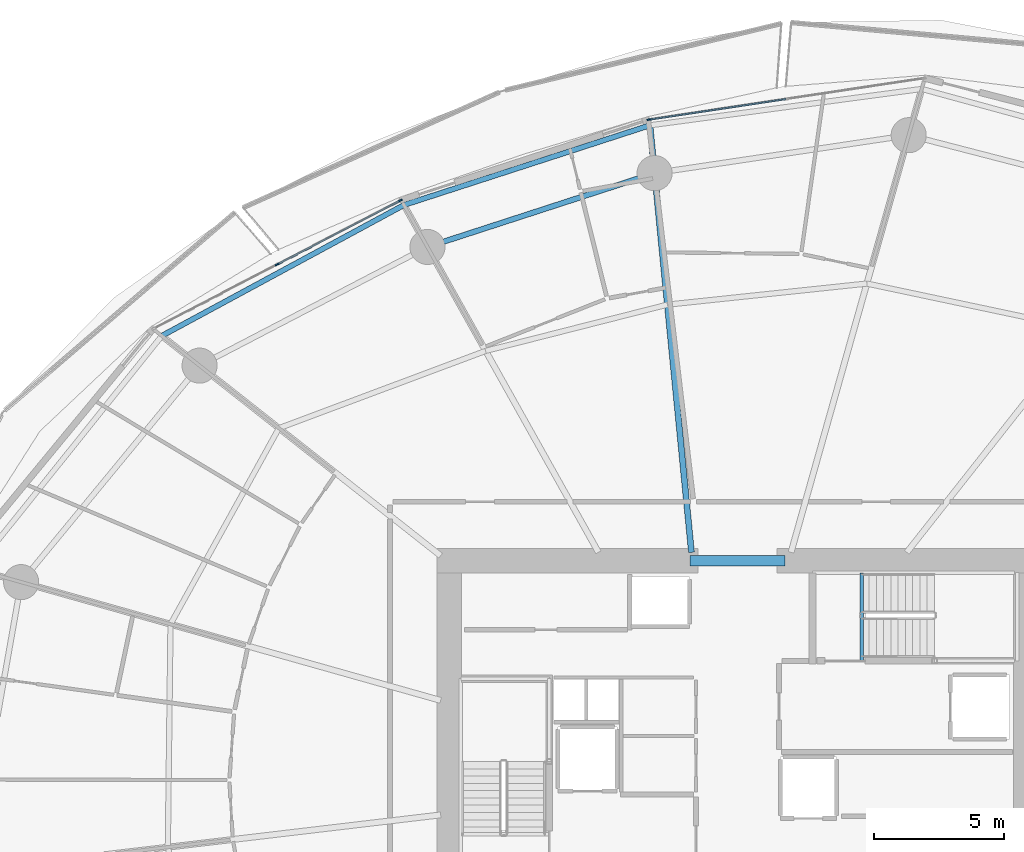
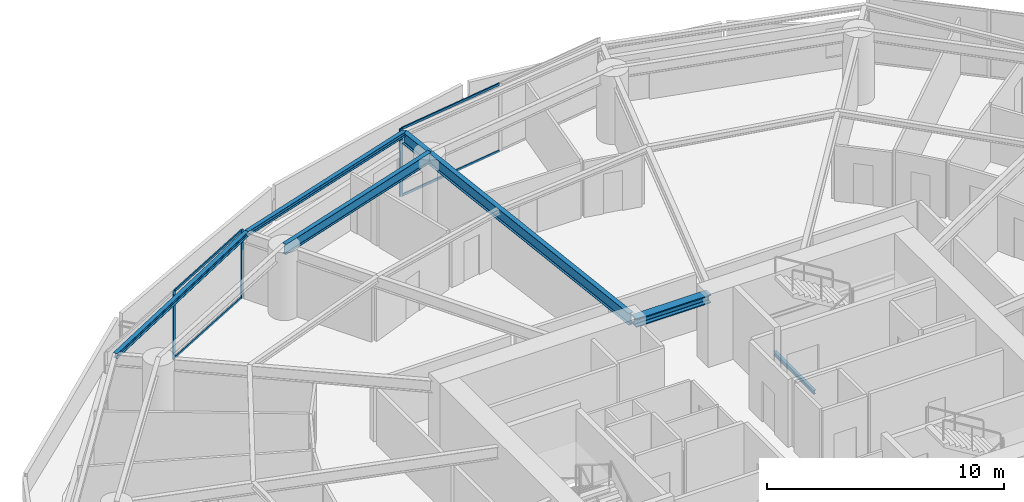
# One storey, part 13 of 31: 7 members, 6 beams, 2 elements without a shape of their own.
"""IFC4 building model written with IfcOpenShell, lengths in metres."""

from ifc_helpers import new_model, si_unit, direction, frame, origin, origin_2d, place, context, subcontext, project, spatial, rectangle, i_section, extrude, material, layer, layer_set, material_profile, profile_set, type_object, element, aggregate, save


model = new_model("IFC4")

# Units and contexts
model_context = context("Model", 3, precision=1e-05, world=origin(), true_north=direction((0.0, 1.0)))
body_context = subcontext(model_context, "Body", "Model", "MODEL_VIEW")
ifc_project = project(units=[si_unit("LENGTHUNIT", "METRE"), si_unit("AREAUNIT", "SQUARE_METRE"), si_unit("VOLUMEUNIT", "CUBIC_METRE"), si_unit("PLANEANGLEUNIT", "RADIAN"), si_unit("MASSUNIT", "GRAM", prefix="KILO")], contexts=[model_context])

# Site, building, storey
site_placement = place(None, origin())
site = spatial("IfcSite", under=ifc_project, at=site_placement, CompositionType="ELEMENT")
building_placement = place(site_placement, origin())
building = spatial("IfcBuilding", under=site, at=building_placement, Name="Kazma Halo Residences", CompositionType="ELEMENT")
storey_placement = place(building_placement, frame((0.0, 0.0, 60.14990234375)))
storey = spatial("IfcBuildingStorey", under=building, at=storey_placement, Name="L14", CompositionType="ELEMENT", Elevation=60.14990234375)

# Beams
ifc_material_1 = material(Name="Steel S355", Category="steel")
ifc_material_profile_1 = material_profile(ifc_material_1, i_section(OverallWidth=0.201904296875, OverallDepth=0.2470703125, WebThickness=0.00732421875, FlangeThickness=0.010986328125, FilletRadius=0.011962890625, at=origin_2d()), Name="W250x49.1")
ifc_profile_set_1 = profile_set([ifc_material_profile_1], Name="Steel S355")
beam_type_1 = type_object("IfcBeamType", Name="BM-BAL-CANT", PredefinedType="BEAM", material=ifc_profile_set_1)
beam_1_placement = place(storey_placement, frame((45.052734375, 67.230712890625, 3.376708984375), z_axis=(-0.951307246639, -0.308244257842, 0.0), x_axis=(0.308244257842, -0.951307246639, 0.0)))
element("IfcBeam", 1, at=beam_1_placement, inside=storey, type_object=beam_type_1, Name="L14 wave-balcony tie beam 04", PredefinedType="BEAM", context=body_context, shape_type="SweptSolid", body=[
    extrude(i_section(OverallWidth=0.201904296875, OverallDepth=0.2470703125, WebThickness=0.00732421875, FlangeThickness=0.010986328125, FilletRadius=0.011962890625, at=origin_2d()), origin(), (0.0, 0.0, 1.0), 9.949462890625),
])
beam_2_placement = place(storey_placement, frame((35.587646484375, 64.163818359375, 3.376708984375), z_axis=(-0.879759421466, -0.47541914175, 0.0), x_axis=(0.47541914175, -0.879759421466, 0.0)))
element("IfcBeam", 2, at=beam_2_placement, inside=storey, type_object=beam_type_1, Name="L14 wave-balcony tie beam 05", PredefinedType="BEAM", context=body_context, shape_type="SweptSolid", body=[
    extrude(i_section(OverallWidth=0.201904296875, OverallDepth=0.2470703125, WebThickness=0.00732421875, FlangeThickness=0.010986328125, FilletRadius=0.011962890625, at=origin_2d()), origin(), (0.0, 0.0, 1.0), 10.58935546875),
])
ifc_material_profile_2 = material_profile(ifc_material_1, i_section(OverallWidth=0.408935546875, OverallDepth=0.425048828125, WebThickness=0.03271484375, FlangeThickness=0.052490234375, FilletRadius=0.02001953125, at=origin_2d()), Name="W360x421")
ifc_profile_set_2 = profile_set([ifc_material_profile_2], Name="Steel S355")
beam_type_2 = type_object("IfcBeamType", Name="BM-CORE-W360H", PredefinedType="BEAM", material=ifc_profile_set_2)
beam_3_placement = place(storey_placement, frame((46.60009765625, 50.47509765625, 3.28759765625), z_axis=(1.0, 0.0, 0.0), x_axis=(0.0, 1.0, 0.0)))
element("IfcBeam", 3, at=beam_3_placement, inside=storey, type_object=beam_type_2, Name="L14 core coupling beam N", PredefinedType="BEAM", context=body_context, shape_type="SweptSolid", body=[
    extrude(i_section(OverallWidth=0.408935546875, OverallDepth=0.425048828125, WebThickness=0.03271484375, FlangeThickness=0.052490234375, FilletRadius=0.02001953125, at=origin_2d()), origin(), (0.0, 0.0, 1.0), 3.64990234375),
])
ifc_material_profile_3 = material_profile(ifc_material_1, i_section(OverallWidth=0.22802734375, OverallDepth=0.60791015625, WebThickness=0.01123046875, FlangeThickness=0.017333984375, FilletRadius=0.01806640625, at=origin_2d()), Name="W610x113")
ifc_profile_set_3 = profile_set([ifc_material_profile_3], Name="Steel S355")
beam_type_3 = type_object("IfcBeamType", Name="BM-RAD-W610", PredefinedType="BEAM", material=ifc_profile_set_3)
beam_4_placement = place(storey_placement, frame((46.64990234375, 50.800048828125, 3.196044921875), z_axis=(-0.096750509471, 0.995308665147, 0.0), x_axis=(-0.995308665147, -0.096750509471, 0.0)))
element("IfcBeam", 4, at=beam_4_placement, inside=storey, type_object=beam_type_3, Name="L14 radial floor beam 04", PredefinedType="BEAM", context=body_context, shape_type="SweptSolid", body=[
    extrude(i_section(OverallWidth=0.22802734375, OverallDepth=0.60791015625, WebThickness=0.01123046875, FlangeThickness=0.017333984375, FilletRadius=0.01806640625, at=origin_2d()), origin(), (0.0, 0.0, 1.0), 16.508056640625),
])
ifc_material_profile_4 = material_profile(ifc_material_1, i_section(OverallWidth=0.208984375, OverallDepth=0.532958984375, WebThickness=0.01025390625, FlangeThickness=0.015625, FilletRadius=0.01611328125, at=origin_2d()), Name="W530x92")
ifc_profile_set_4 = profile_set([ifc_material_profile_4], Name="Steel S355")
beam_type_4 = type_object("IfcBeamType", Name="BM-SPN-W530", PredefinedType="BEAM", material=ifc_profile_set_4)
beam_5_placement = place(storey_placement, frame((45.231689453125, 65.389404296875, 3.233642578125), z_axis=(-0.951054956346, -0.309021795363, 0.0), x_axis=(0.309021795363, -0.951054956346, 0.0)))
element("IfcBeam", 5, at=beam_5_placement, inside=storey, type_object=beam_type_4, Name="L14 perimeter ring beam 04", PredefinedType="BEAM", context=body_context, shape_type="SweptSolid", body=[
    extrude(i_section(OverallWidth=0.208984375, OverallDepth=0.532958984375, WebThickness=0.01025390625, FlangeThickness=0.015625, FilletRadius=0.01611328125, at=origin_2d()), origin(), (0.0, 0.0, 1.0), 9.189697265625),
])
ifc_material_profile_5 = material_profile(ifc_material_1, i_section(OverallWidth=0.133056640625, OverallDepth=0.20703125, WebThickness=0.005859375, FlangeThickness=0.00830078125, FilletRadius=0.010009765625, at=origin_2d()), Name="W200x26.6")
ifc_profile_set_5 = profile_set([ifc_material_profile_5], Name="Steel S355")
beam_type_5 = type_object("IfcBeamType", Name="BM-TRIM-W200", PredefinedType="BEAM", material=ifc_profile_set_5)
beam_6_placement = place(storey_placement, frame((53.199951171875, 46.6201171875, -0.35986328125), z_axis=(0.0, 1.0, 0.0), x_axis=(-1.0, 0.0, 0.0)))
element("IfcBeam", 6, at=beam_6_placement, inside=storey, type_object=beam_type_5, Name="L14 ST-02 floor landing support beam", PredefinedType="BEAM", context=body_context, shape_type="SweptSolid", body=[
    extrude(i_section(OverallWidth=0.133056640625, OverallDepth=0.20703125, WebThickness=0.005859375, FlangeThickness=0.00830078125, FilletRadius=0.010009765625, at=origin_2d()), origin(), (0.0, 0.0, 1.0), 3.3798828125),
])

# Curtain wall, member
ifc_material_2 = material(Name="Aluminium AW-6063 T6 and Triple-Silver Low-E Glass", Category="aluminium")
ifc_layer = layer(ifc_material_2, 0.159912109375)
ifc_layer_set = layer_set([ifc_layer], Name="Aluminium AW-6063 T6 and Triple-Silver Low-E Glass")
curtain_wall_type = type_object("IfcCurtainWallType", Name="CW-SYS-2", PredefinedType="NOTDEFINED", material=ifc_layer_set)
curtain_wall_1_placement = place(storey_placement, origin())
curtain_wall_1 = element("IfcCurtainWall", 7, at=curtain_wall_1_placement, inside=storey, type_object=curtain_wall_type, Name="L14 unitised curtain wall B03", PredefinedType="NOTDEFINED")
ifc_material_3 = material(Name="Aluminium AW-6063 T6", Category="aluminium")
ifc_material_profile_6 = material_profile(ifc_material_3, rectangle(XDim=0.06005859375, YDim=0.159912109375, at=origin_2d()), Name="CWM-60x160")
ifc_profile_set_6 = profile_set([ifc_material_profile_6], Name="Aluminium AW-6063 T6")
member_type_1 = type_object("IfcMemberType", Name="CW-SYS-2-MUL", PredefinedType="MULLION", material=ifc_profile_set_6)
member_1_placement = place(storey_placement, frame((45.018310546875, 67.447509765625, 0.0), z_axis=(0.0, 0.0, 1.0), x_axis=(0.148657272805, -0.988888777994, 0.0)))
member_1 = element("IfcMember", 8, at=member_1_placement, type_object=member_type_1, Name="CWS-2 mullion 3", PredefinedType="MULLION", context=body_context, shape_type="SweptSolid", body=[
    extrude(rectangle(XDim=0.06005859375, YDim=0.159912109375, at=origin_2d()), origin(), (0.0, 0.0, 1.0), 3.5),
])

# Curtain wall, members
curtain_wall_2_placement = place(storey_placement, origin())
curtain_wall_2 = element("IfcCurtainWall", 9, at=curtain_wall_2_placement, inside=storey, type_object=curtain_wall_type, Name="L14 unitised curtain wall B05", PredefinedType="NOTDEFINED")
member_2_placement = place(storey_placement, frame((35.45458984375, 64.340087890625, 0.0), z_axis=(0.0, 0.0, 1.0), x_axis=(0.460995912628, -0.887402258584, 0.0)))
member_2 = element("IfcMember", 10, at=member_2_placement, type_object=member_type_1, Name="CWS-2 mullion 1", PredefinedType="MULLION", context=body_context, shape_type="SweptSolid", body=[
    extrude(rectangle(XDim=0.06005859375, YDim=0.159912109375, at=origin_2d()), origin(), (0.0, 0.0, 1.0), 3.5),
])
member_3_placement = place(storey_placement, frame((30.7080078125, 61.874267578125, 0.0), z_axis=(0.0, 0.0, 1.0), x_axis=(0.460995912628, -0.887402258584, 0.0)))
member_3 = element("IfcMember", 11, at=member_3_placement, type_object=member_type_1, Name="CWS-2 mullion 2", PredefinedType="MULLION", context=body_context, shape_type="SweptSolid", body=[
    extrude(rectangle(XDim=0.06005859375, YDim=0.159912109375, at=origin_2d()), origin(), (0.0, 0.0, 1.0), 3.5),
])

# Member
ifc_material_profile_7 = material_profile(ifc_material_3, rectangle(XDim=0.06005859375, YDim=0.1201171875, at=origin_2d()), Name="CWT-60x120")
ifc_profile_set_7 = profile_set([ifc_material_profile_7], Name="Aluminium AW-6063 T6")
member_type_2 = type_object("IfcMemberType", Name="CW-SYS-2-TRN", PredefinedType="USERDEFINED", material=ifc_profile_set_7)
member_4_placement = place(storey_placement, frame((50.278076171875, 68.238037109375, 0.030029296875), z_axis=(-0.98889195415, -0.148636143041, 0.0), x_axis=(0.148636143041, -0.98889195415, 0.0)))
member_4 = element("IfcMember", 12, at=member_4_placement, type_object=member_type_2, Name="CWS-2 transom 2.1", ObjectType="TRANSOM", PredefinedType="USERDEFINED", context=body_context, shape_type="SweptSolid", body=[
    extrude(rectangle(XDim=0.06005859375, YDim=0.1201171875, at=origin_2d()), origin(), (0.0, 0.0, 1.0), 5.2890625),
])

member_5_placement = place(storey_placement, frame((50.278076171875, 68.238037109375, 3.47021484375), z_axis=(-0.98889195415, -0.148636143041, 0.0), x_axis=(0.148636143041, -0.98889195415, 0.0)))
member_5 = element("IfcMember", 13, at=member_5_placement, type_object=member_type_2, Name="CWS-2 transom 2.2", ObjectType="TRANSOM", PredefinedType="USERDEFINED", context=body_context, shape_type="SweptSolid", body=[
    extrude(rectangle(XDim=0.06005859375, YDim=0.1201171875, at=origin_2d()), origin(), (0.0, 0.0, 1.0), 5.2890625),
])

aggregate(curtain_wall_1, [member_1, member_4, member_5])

member_6_placement = place(storey_placement, frame((35.427978515625, 64.326171875, 0.030029296875), z_axis=(-0.887414738583, -0.460971888238, 0.0), x_axis=(0.460971888238, -0.887414738583, 0.0)))
member_6 = element("IfcMember", 14, at=member_6_placement, type_object=member_type_2, Name="CWS-2 transom 1.1", ObjectType="TRANSOM", PredefinedType="USERDEFINED", context=body_context, shape_type="SweptSolid", body=[
    extrude(rectangle(XDim=0.06005859375, YDim=0.1201171875, at=origin_2d()), origin(), (0.0, 0.0, 1.0), 5.288818359375),
])

member_7_placement = place(storey_placement, frame((35.427978515625, 64.326171875, 3.47021484375), z_axis=(-0.887414738583, -0.460971888238, 0.0), x_axis=(0.460971888238, -0.887414738583, 0.0)))
member_7 = element("IfcMember", 15, at=member_7_placement, type_object=member_type_2, Name="CWS-2 transom 1.2", ObjectType="TRANSOM", PredefinedType="USERDEFINED", context=body_context, shape_type="SweptSolid", body=[
    extrude(rectangle(XDim=0.06005859375, YDim=0.1201171875, at=origin_2d()), origin(), (0.0, 0.0, 1.0), 5.288818359375),
])

aggregate(curtain_wall_2, [member_2, member_3, member_6, member_7])

save(model, "model.ifc")
